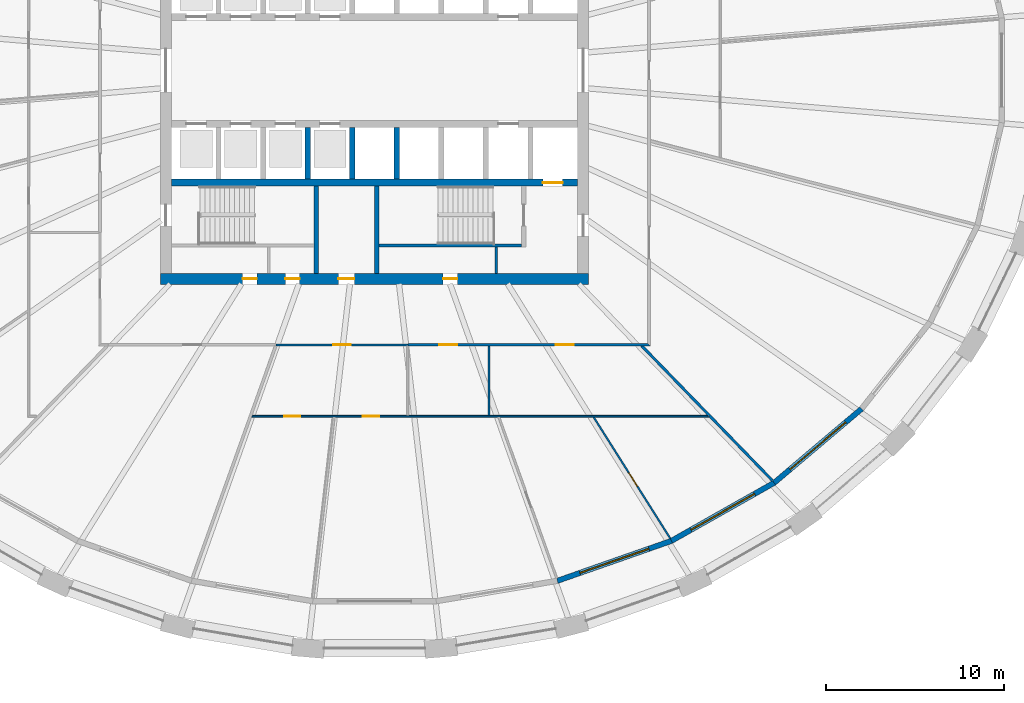
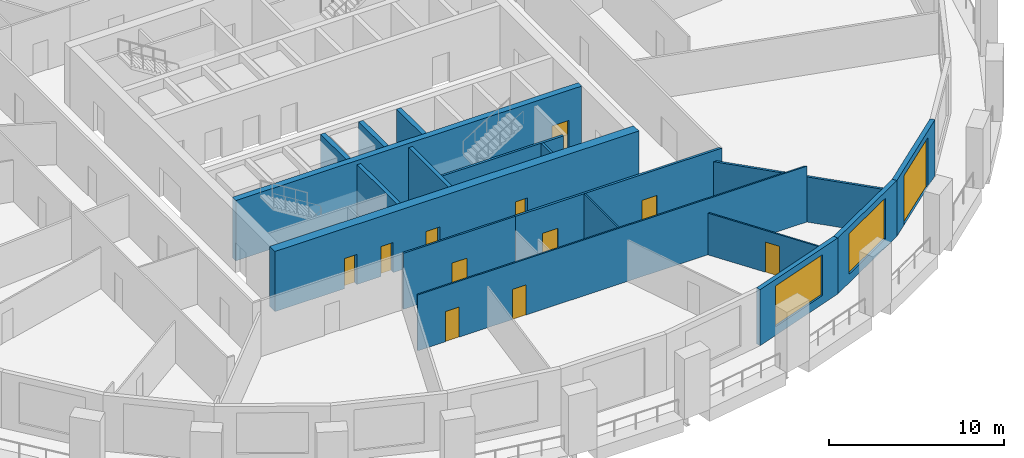
# One storey, part 4 of 12: 18 walls, 12 doors, 2 windows, 14 openings.
"""IFC4 building model written with IfcOpenShell, lengths in metres."""

from ifc_helpers import new_model, si_unit, direction, frame, frame_2d, origin, place, context, subcontext, project, spatial, polyline, rectangle, outline, extrude, material, layer, layer_set, type_object, element, fill, save


model = new_model("IFC4")

# Units and contexts
model_context = context("Model", 3, precision=1e-05, world=origin(), true_north=direction((0.0, 1.0)))
body_context = subcontext(model_context, "Body", "Model", "MODEL_VIEW")
ifc_project = project(units=[si_unit("LENGTHUNIT", "METRE"), si_unit("AREAUNIT", "SQUARE_METRE"), si_unit("VOLUMEUNIT", "CUBIC_METRE"), si_unit("PLANEANGLEUNIT", "RADIAN"), si_unit("MASSUNIT", "GRAM", prefix="KILO")], contexts=[model_context])

# Site, building, storey
site_placement = place(None, origin())
site = spatial("IfcSite", under=ifc_project, at=site_placement, CompositionType="ELEMENT")
building_placement = place(site_placement, origin())
building = spatial("IfcBuilding", under=site, at=building_placement, Name="Halqa Exchange Tower", CompositionType="ELEMENT")
storey_placement = place(building_placement, frame((0.0, 0.0, 27.699951171875)))
storey = spatial("IfcBuildingStorey", under=building, at=storey_placement, Name="L05", CompositionType="ELEMENT", Elevation=27.699951171875)

# Wall, openings, doors
ifc_material_1 = material(Name="Fire-rated gypsum board")
ifc_layer_1 = layer(ifc_material_1, 0.14990234375)
ifc_layer_set_1 = layer_set([ifc_layer_1], Name="Fire-rated gypsum board")
wall_type_1 = type_object("IfcWallType", Name="Fire partition EI 60 150", PredefinedType="PARTITIONING", material=ifc_layer_set_1)
wall_1_placement = place(storey_placement, frame((1.8701171875, -15.39990234375, 0.0), z_axis=(0.0, 0.0, 1.0), x_axis=(1.0, 0.0, 0.0)))
wall_1 = element("IfcWall", 1, at=wall_1_placement, inside=storey, type_object=wall_type_1, Name="L05-PWL-030", PredefinedType="PARTITIONING", context=body_context, shape_type="SweptSolid", body=[
    extrude(outline(polyline([(0.0, -0.074951171875), (1.943603515625, -0.074951171875), (3.886962890625, -0.074951171875), (5.83056640625, -0.074951171875), (7.774169921875, -0.074951171875), (9.7177734375, -0.074951171875), (11.6611328125, -0.074951171875), (13.604736328125, -0.074951171875), (13.454833984375, 0.074951171875), (11.53271484375, 0.074951171875), (9.610595703125, 0.074951171875), (7.6884765625, 0.074951171875), (5.766357421875, 0.074951171875), (3.84423828125, 0.074951171875), (1.922119140625, 0.074951171875), (0.0, 0.074951171875), (0.0, -0.074951171875)])), origin(), (0.0, 0.0, 1.0), 3.900146484375),
])
opening_1_placement = place(wall_1_placement, frame((1.77490234375, 0.0, 0.0)))
opening_1 = element("IfcOpeningElement", 2, at=opening_1_placement, cuts=wall_1, Name="Opening 01-15", PredefinedType="OPENING", context=body_context, shape_type="SweptSolid", body=[
    extrude(rectangle(XDim=1.0, YDim=2.10009765625, at=frame_2d((0.5, 1.050048828125))), frame((0.0, 0.0869140625, 0.0), z_axis=(0.0, -1.0, 0.0), x_axis=(1.0, 0.0, 0.0)), (0.0, 0.0, 1.0), 0.173828125),
])
opening_2_placement = place(wall_1_placement, frame((8.31005859375, 0.0, 0.0)))
opening_2 = element("IfcOpeningElement", 3, at=opening_2_placement, cuts=wall_1, Name="Opening 01-16", PredefinedType="OPENING", context=body_context, shape_type="SweptSolid", body=[
    extrude(rectangle(XDim=1.0, YDim=2.10009765625, at=frame_2d((0.5, 1.050048828125))), frame((0.0, 0.0869140625, 0.0), z_axis=(0.0, -1.0, 0.0), x_axis=(1.0, 0.0, 0.0)), (0.0, 0.0, 1.0), 0.173828125),
])
ifc_material_2 = material(Name="Steel fire door leaf", Category="steel")
door_type_1 = type_object("IfcDoorType", Name="Fire door FD30S 1000 x 2100", OperationType="SINGLE_SWING_LEFT", PredefinedType="DOOR", material=ifc_material_2)
door_1_placement = place(opening_1_placement, frame((1.0, 0.0, 0.0), z_axis=(0.0, 0.0, 1.0), x_axis=(-1.0, 0.0, 0.0)))
door_1 = element("IfcDoor", 4, at=door_1_placement, inside=storey, type_object=door_type_1, Name="L05-IDR-015", OperationType="SINGLE_SWING_RIGHT", OverallHeight=2.10009765625, OverallWidth=1.0, PredefinedType="DOOR", context=body_context, shape_type="SweptSolid", body=[
    extrude(rectangle(XDim=1.0, YDim=2.10009765625, at=frame_2d((0.5, 1.050048828125))), frame((0.0, 0.02490234375, 0.0), z_axis=(0.0, -1.0, 0.0), x_axis=(1.0, 0.0, 0.0)), (0.0, 0.0, 1.0), 0.050048828125),
])
fill(opening_1, door_1)
door_2_placement = place(opening_2_placement, frame((1.0, 0.0, 0.0), z_axis=(0.0, 0.0, 1.0), x_axis=(-1.0, 0.0, 0.0)))
door_2 = element("IfcDoor", 5, at=door_2_placement, inside=storey, type_object=door_type_1, Name="L05-IDR-016", OperationType="SINGLE_SWING_RIGHT", OverallHeight=2.10009765625, OverallWidth=1.0, PredefinedType="DOOR", context=body_context, shape_type="SweptSolid", body=[
    extrude(rectangle(XDim=1.0, YDim=2.10009765625, at=frame_2d((0.5, 1.050048828125))), frame((0.0, 0.02490234375, 0.0), z_axis=(0.0, -1.0, 0.0), x_axis=(1.0, 0.0, 0.0)), (0.0, 0.0, 1.0), 0.050048828125),
])
fill(opening_2, door_2)

# Wall
wall_2_placement = place(storey_placement, frame((14.96240234375, -15.423095703125, 0.0), z_axis=(0.0, 0.0, 1.0), x_axis=(0.69624947088, -0.717799884578, 0.0)))
element("IfcWall", 6, at=wall_2_placement, inside=storey, type_object=wall_type_1, Name="L05-PWL-038", PredefinedType="PARTITIONING", context=body_context, shape_type="SweptSolid", body=[
    extrude(outline(polyline([(0.0, -0.074951171875), (1.79931640625, -0.074951171875), (3.5986328125, -0.074951171875), (5.39794921875, -0.074951171875), (5.46533203125, -0.005615234375), (5.53662109375, -0.074951171875), (7.21044921875, -0.074951171875), (8.884033203125, -0.074951171875), (10.557861328125, -0.074951171875), (10.558349609375, -0.0732421875), (10.558349609375, 0.074951171875), (8.82275390625, 0.074951171875), (7.087158203125, 0.074951171875), (5.3515625, 0.074951171875), (3.6162109375, 0.074951171875), (1.880615234375, 0.074951171875), (0.14501953125, 0.074951171875), (0.0, -0.074462890625), (0.0, -0.074951171875)])), origin(), (0.0, 0.0, 1.0), 3.14697265625),
])

# Wall, opening, door
ifc_material_3 = material(Name="Fire-rated glazing", Category="glass")
ifc_layer_2 = layer(ifc_material_3, 0.1201171875)
ifc_layer_set_2 = layer_set([ifc_layer_2], Name="Fire-rated glazing")
wall_type_2 = type_object("IfcWallType", Name="Glazed fire partition EI 60 120", PredefinedType="PARTITIONING", material=ifc_layer_set_2)
wall_3_placement = place(storey_placement, frame((1.8701171875, -15.39990234375, 0.0), z_axis=(0.0, 0.0, 1.0), x_axis=(-1.0, 0.0, 0.0)))
wall_3 = element("IfcWall", 7, at=wall_3_placement, inside=storey, type_object=wall_type_2, Name="L05-PWL-028", PredefinedType="PARTITIONING", context=body_context, shape_type="SweptSolid", body=[
    extrude(rectangle(XDim=7.39013671875, YDim=0.1201171875, at=frame_2d((3.695068359375, 0.0))), origin(), (0.0, 0.0, 1.0), 3.900146484375),
])
opening_3_placement = place(wall_3_placement, frame((3.195068359375, 0.0, 0.0)))
opening_3 = element("IfcOpeningElement", 8, at=opening_3_placement, cuts=wall_3, Name="Opening 01-14", PredefinedType="OPENING", context=body_context, shape_type="SweptSolid", body=[
    extrude(rectangle(XDim=1.0, YDim=2.10009765625, at=frame_2d((0.5, 1.050048828125))), frame((0.0, 0.072021484375, 0.0), z_axis=(0.0, -1.0, 0.0), x_axis=(1.0, 0.0, 0.0)), (0.0, 0.0, 1.0), 0.14404296875),
])
door_3_placement = place(opening_3_placement, origin())
door_3 = element("IfcDoor", 9, at=door_3_placement, inside=storey, type_object=door_type_1, Name="L05-IDR-014", OperationType="SINGLE_SWING_LEFT", OverallHeight=2.10009765625, OverallWidth=1.0, PredefinedType="DOOR", context=body_context, shape_type="SweptSolid", body=[
    extrude(rectangle(XDim=1.0, YDim=2.10009765625, at=frame_2d((0.5, 1.050048828125))), frame((0.0, 0.02490234375, 0.0), z_axis=(0.0, -1.0, 0.0), x_axis=(1.0, 0.0, 0.0)), (0.0, 0.0, 1.0), 0.050048828125),
])
fill(opening_3, door_3)

# Wall, openings, doors
ifc_material_4 = material(Name="Gypsum board")
ifc_layer_3 = layer(ifc_material_4, 0.10009765625)
ifc_layer_set_3 = layer_set([ifc_layer_3], Name="Gypsum board")
wall_type_3 = type_object("IfcWallType", Name="Partition 100 gypsum", PredefinedType="PARTITIONING", material=ifc_layer_set_3)
wall_4_placement = place(storey_placement, frame((-6.89404296875, -19.39990234375, 0.0), z_axis=(0.0, 0.0, 1.0), x_axis=(1.0, 0.0, 0.0)))
wall_4 = element("IfcWall", 10, at=wall_4_placement, inside=storey, type_object=wall_type_3, Name="L05-PWL-024", PredefinedType="PARTITIONING", context=body_context, shape_type="SweptSolid", body=[
    extrude(outline(polyline([(0.0, -0.050048828125), (1.52587890625, -0.050048828125), (3.052001953125, -0.050048828125), (4.577880859375, -0.050048828125), (4.578125, -0.049072265625), (4.587158203125, -0.050048828125), (6.4541015625, -0.050048828125), (8.321044921875, -0.050048828125), (10.18798828125, -0.050048828125), (12.05517578125, -0.050048828125), (13.922119140625, -0.050048828125), (13.9248046875, -0.049072265625), (13.925048828125, -0.050048828125), (15.6962890625, -0.050048828125), (17.467529296875, -0.050048828125), (19.23876953125, -0.050048828125), (19.2431640625, -0.04736328125), (19.24462890625, -0.050048828125), (20.847900390625, -0.050048828125), (22.451171875, -0.050048828125), (24.05419921875, -0.050048828125), (25.657470703125, -0.050048828125), (25.657470703125, -0.049560546875), (25.614013671875, -0.004638671875), (25.614013671875, -0.004638671875), (25.56103515625, 0.050048828125), (23.818603515625, 0.050048828125), (22.076171875, 0.050048828125), (20.333740234375, 0.050048828125), (18.59130859375, 0.050048828125), (16.848876953125, 0.050048828125), (15.1064453125, 0.050048828125), (13.364013671875, 0.050048828125), (13.364013671875, 0.0498046875), (13.26416015625, 0.0498046875), (13.26416015625, 0.050048828125), (11.78076171875, 0.050048828125), (10.29736328125, 0.050048828125), (8.81396484375, 0.050048828125), (8.81396484375, 0.0498046875), (8.714111328125, 0.0498046875), (8.714111328125, 0.050048828125), (6.978271484375, 0.050048828125), (5.24267578125, 0.050048828125), (3.507080078125, 0.050048828125), (1.771240234375, 0.050048828125), (0.03564453125, 0.050048828125), (0.0, -0.04931640625), (0.0, -0.050048828125)])), origin(), (0.0, 0.0, 1.0), 3.900146484375),
])
opening_4_placement = place(wall_4_placement, frame((6.2490234375, 0.0, 0.0)))
opening_4 = element("IfcOpeningElement", 11, at=opening_4_placement, cuts=wall_4, Name="Opening 01-28", PredefinedType="OPENING", context=body_context, shape_type="SweptSolid", body=[
    extrude(rectangle(XDim=0.89990234375, YDim=2.10009765625, at=frame_2d((0.449951171875, 1.050048828125))), frame((0.0, 0.06201171875, 0.0), z_axis=(0.0, -1.0, 0.0), x_axis=(1.0, 0.0, 0.0)), (0.0, 0.0, 1.0), 0.1240234375),
])
opening_5_placement = place(wall_4_placement, frame((1.833984375, 0.0, 0.0)))
opening_5 = element("IfcOpeningElement", 12, at=opening_5_placement, cuts=wall_4, Name="Opening 01-29", PredefinedType="OPENING", context=body_context, shape_type="SweptSolid", body=[
    extrude(rectangle(XDim=0.89990234375, YDim=2.10009765625, at=frame_2d((0.449951171875, 1.050048828125))), frame((0.0, 0.06201171875, 0.0), z_axis=(0.0, -1.0, 0.0), x_axis=(1.0, 0.0, 0.0)), (0.0, 0.0, 1.0), 0.1240234375),
])
ifc_material_5 = material(Name="Timber door leaf", Category="wood")
door_type_2 = type_object("IfcDoorType", Name="Door 900 x 2100", OperationType="SINGLE_SWING_LEFT", PredefinedType="DOOR", material=ifc_material_5)
door_4_placement = place(opening_4_placement, origin())
door_4 = element("IfcDoor", 13, at=door_4_placement, inside=storey, type_object=door_type_2, Name="L05-IDR-028", OperationType="SINGLE_SWING_LEFT", OverallHeight=2.10009765625, OverallWidth=0.89990234375, PredefinedType="DOOR", context=body_context, shape_type="SweptSolid", body=[
    extrude(rectangle(XDim=0.89990234375, YDim=2.10009765625, at=frame_2d((0.449951171875, 1.050048828125))), frame((0.0, 0.02490234375, 0.0), z_axis=(0.0, -1.0, 0.0), x_axis=(1.0, 0.0, 0.0)), (0.0, 0.0, 1.0), 0.050048828125),
])
fill(opening_4, door_4)
door_5_placement = place(opening_5_placement, origin())
door_5 = element("IfcDoor", 14, at=door_5_placement, inside=storey, type_object=door_type_2, Name="L05-IDR-029", OperationType="SINGLE_SWING_RIGHT", OverallHeight=2.10009765625, OverallWidth=0.89990234375, PredefinedType="DOOR", context=body_context, shape_type="SweptSolid", body=[
    extrude(rectangle(XDim=0.89990234375, YDim=2.10009765625, at=frame_2d((0.449951171875, 1.050048828125))), frame((0.0, 0.02490234375, 0.0), z_axis=(0.0, -1.0, 0.0), x_axis=(1.0, 0.0, 0.0)), (0.0, 0.0, 1.0), 0.050048828125),
])
fill(opening_5, door_5)

# Wall
wall_5_placement = place(storey_placement, frame((6.419921875, -15.47509765625, 0.0), z_axis=(0.0, 0.0, 1.0), x_axis=(0.0, -1.0, 0.0)))
element("IfcWall", 15, at=wall_5_placement, inside=storey, type_object=wall_type_3, Name="L05-PWL-032", PredefinedType="PARTITIONING", context=body_context, shape_type="SweptSolid", body=[
    extrude(rectangle(XDim=3.875, YDim=0.10009765625, at=frame_2d((1.9375, 0.0))), origin(), (0.0, 0.0, 1.0), 3.900146484375),
])

# Wall, opening, door
wall_6_placement = place(storey_placement, frame((12.27490234375, -19.423583984375, 0.0), z_axis=(0.0, 0.0, 1.0), x_axis=(0.533945273126, -0.845519038997, 0.0)))
wall_6 = element("IfcWall", 16, at=wall_6_placement, inside=storey, type_object=wall_type_3, Name="L05-PWL-035", PredefinedType="PARTITIONING", context=body_context, shape_type="SweptSolid", body=[
    extrude(outline(polyline([(0.0, -0.050048828125), (1.614013671875, -0.050048828125), (3.228271484375, -0.050048828125), (4.84228515625, -0.050048828125), (6.456298828125, -0.050048828125), (8.070556640625, -0.050048828125), (8.082763671875, 0.003173828125), (8.0849609375, 0.0498046875), (8.0849609375, 0.050048828125), (6.48046875, 0.050048828125), (4.876220703125, 0.050048828125), (3.271728515625, 0.050048828125), (1.667236328125, 0.050048828125), (0.062744140625, 0.050048828125), (0.0, -0.049560546875), (0.0, -0.050048828125)])), origin(), (0.0, 0.0, 1.0), 2.91015625),
])
opening_6_placement = place(wall_6_placement, frame((3.7265625, 0.0, 0.0)))
opening_6 = element("IfcOpeningElement", 17, at=opening_6_placement, cuts=wall_6, Name="Opening 01-31", PredefinedType="OPENING", context=body_context, shape_type="SweptSolid", body=[
    extrude(rectangle(XDim=0.89990234375, YDim=2.10009765625, at=frame_2d((0.449951171875, 1.050048828125))), frame((0.0, 0.06201171875, 0.0), z_axis=(0.0, -1.0, 0.0), x_axis=(1.0, 0.0, 0.0)), (0.0, 0.0, 1.0), 0.1240234375),
])
door_6_placement = place(opening_6_placement, origin())
door_6 = element("IfcDoor", 18, at=door_6_placement, inside=storey, type_object=door_type_2, Name="L05-IDR-031", OperationType="SINGLE_SWING_RIGHT", OverallHeight=2.10009765625, OverallWidth=0.89990234375, PredefinedType="DOOR", context=body_context, shape_type="SweptSolid", body=[
    extrude(rectangle(XDim=0.89990234375, YDim=2.10009765625, at=frame_2d((0.449951171875, 1.050048828125))), frame((0.0, 0.02490234375, 0.0), z_axis=(0.0, -1.0, 0.0), x_axis=(1.0, 0.0, 0.0)), (0.0, 0.0, 1.0), 0.050048828125),
])
fill(opening_6, door_6)

# Walls
ifc_layer_4 = layer(ifc_material_4, 0.14990234375)
ifc_layer_set_4 = layer_set([ifc_layer_4], Name="Gypsum board")
wall_type_4 = type_object("IfcWallType", Name="Penthouse riser wall 150 gypsum", PredefinedType="PARTITIONING", material=ifc_layer_set_4)
wall_7_placement = place(storey_placement, frame((6.824951171875, -11.39990234375, 0.0), z_axis=(0.0, 0.0, 1.0), x_axis=(0.0, 1.0, 0.0)))
element("IfcWall", 19, at=wall_7_placement, inside=storey, type_object=wall_type_4, Name="Firefighting lobby west wall S", PredefinedType="PARTITIONING", context=body_context, shape_type="SweptSolid", body=[
    extrude(rectangle(XDim=1.5, YDim=0.14990234375, at=frame_2d((0.75, 0.0))), origin(), (0.0, 0.0, 1.0), 3.900146484375),
])
ifc_material_6 = material(Name="Concrete C60/75", Category="concrete")
ifc_layer_5 = layer(ifc_material_6, 0.300048828125)
ifc_layer_set_5 = layer_set([ifc_layer_5], Name="Concrete C60/75")
wall_type_5 = type_object("IfcWallType", Name="RC core wall 300", PredefinedType="SHEAR", material=ifc_layer_set_5)
for number, where, z_axis, x_axis, name in (
    (20, (-3.75, -6.10009765625, 0.0), (0.0, 0.0, 1.0), (0.0, 1.0, 0.0), "Shaft divider S3"),
    (21, (-1.25, -6.10009765625, 0.0), (0.0, 0.0, 1.0), (0.0, 1.0, 0.0), "Shaft divider S4"),
    (22, (1.25, -6.10009765625, 0.0), (0.0, 0.0, 1.0), (0.0, 1.0, 0.0), "Shaft divider S5"),
):
    element("IfcWall", number, at=place(storey_placement, frame(where, z_axis=z_axis, x_axis=x_axis)), inside=storey, type_object=wall_type_5, Name=name, PredefinedType="SHEAR", context=body_context, shape_type="SweptSolid", body=[
        extrude(rectangle(XDim=2.900146484375, YDim=0.300048828125, at=frame_2d((1.4501953125, 0.0))), origin(), (0.0, 0.0, 1.0), 4.199951171875),
    ])

# Wall, opening, door
ifc_material_7 = material(Name="Concrete C80/95", Category="concrete")
ifc_layer_6 = layer(ifc_material_7, 0.39990234375)
ifc_layer_set_6 = layer_set([ifc_layer_6], Name="Concrete C80/95")
wall_type_6 = type_object("IfcWallType", Name="RC core wall 400 C80/95", PredefinedType="SHEAR", material=ifc_layer_set_6)
wall_8_placement = place(storey_placement, frame((-11.39990234375, -6.300048828125, 0.0), z_axis=(0.0, 0.0, 1.0), x_axis=(1.0, 0.0, 0.0)))
wall_8 = element("IfcWall", 23, at=wall_8_placement, inside=storey, type_object=wall_type_6, Name="Lift row back wall S", PredefinedType="SHEAR", context=body_context, shape_type="SweptSolid", body=[
    extrude(rectangle(XDim=22.7998046875, YDim=0.39990234375, at=frame_2d((11.39990234375, 0.0))), origin(), (0.0, 0.0, 1.0), 4.199951171875),
])
opening_7_placement = place(wall_8_placement, frame((20.85009765625, 0.0, 0.0)))
opening_7 = element("IfcOpeningElement", 24, at=opening_7_placement, cuts=wall_8, Name="Opening LD-FF2-T01", PredefinedType="OPENING", context=body_context, shape_type="SweptSolid", body=[
    extrude(rectangle(XDim=1.10009765625, YDim=2.10009765625, at=frame_2d((0.550048828125, 1.050048828125))), frame((0.0, 0.2119140625, 0.0), z_axis=(0.0, -1.0, 0.0), x_axis=(1.0, 0.0, 0.0)), (0.0, 0.0, 1.0), 0.423828125),
])
ifc_material_8 = material(Name="Stainless steel", Category="steel")
door_type_3 = type_object("IfcDoorType", Name="Lift landing door 1100 x 2100", OperationType="SLIDING_TO_LEFT", PredefinedType="DOOR", material=ifc_material_8)
door_7_placement = place(opening_7_placement, origin())
door_7 = element("IfcDoor", 25, at=door_7_placement, inside=storey, type_object=door_type_3, Name="Lift landing door FF2", OperationType="SLIDING_TO_LEFT", OverallHeight=2.10009765625, OverallWidth=1.10009765625, PredefinedType="DOOR", context=body_context, shape_type="SweptSolid", body=[
    extrude(rectangle(XDim=1.10009765625, YDim=2.10009765625, at=frame_2d((0.550048828125, 1.050048828125))), frame((0.0, 0.02490234375, 0.0), z_axis=(0.0, -1.0, 0.0), x_axis=(1.0, 0.0, 0.0)), (0.0, 0.0, 1.0), 0.050048828125),
])
fill(opening_7, door_7)

# Wall, openings, doors
ifc_layer_7 = layer(ifc_material_7, 0.60009765625)
ifc_layer_set_7 = layer_set([ifc_layer_7], Name="Concrete C80/95")
wall_type_7 = type_object("IfcWallType", Name="RC core wall 600 C80/95", PredefinedType="SHEAR", material=ifc_layer_set_7)
wall_9_placement = place(storey_placement, frame((-12.0, -11.699951171875, 0.0), z_axis=(0.0, 0.0, 1.0), x_axis=(1.0, 0.0, 0.0)))
wall_9 = element("IfcWall", 26, at=wall_9_placement, inside=storey, type_object=wall_type_7, Name="Core wall south", PredefinedType="SHEAR", context=body_context, shape_type="SweptSolid", body=[
    extrude(rectangle(XDim=24.0, YDim=0.60009765625, at=frame_2d((12.0, 0.0))), origin(), (0.0, 0.0, 1.0), 4.199951171875),
])
opening_8_placement = place(wall_9_placement, frame((9.97509765625, 0.0, 0.0)))
opening_8 = element("IfcOpeningElement", 27, at=opening_8_placement, cuts=wall_9, Name="Opening T01-C25", PredefinedType="OPENING", context=body_context, shape_type="SweptSolid", body=[
    extrude(rectangle(XDim=0.89990234375, YDim=2.10009765625, at=frame_2d((0.449951171875, 1.050048828125))), frame((0.0, 0.31201171875, 0.0), z_axis=(0.0, -1.0, 0.0), x_axis=(1.0, 0.0, 0.0)), (0.0, 0.0, 1.0), 0.6240234375),
])
opening_9_placement = place(wall_9_placement, frame((4.60009765625, 0.0, 0.0)))
opening_9 = element("IfcOpeningElement", 28, at=opening_9_placement, cuts=wall_9, Name="Opening T01-C26", PredefinedType="OPENING", context=body_context, shape_type="SweptSolid", body=[
    extrude(rectangle(XDim=0.800048828125, YDim=2.10009765625, at=frame_2d((0.39990234375, 1.050048828125))), frame((0.0, 0.31201171875, 0.0), z_axis=(0.0, -1.0, 0.0), x_axis=(1.0, 0.0, 0.0)), (0.0, 0.0, 1.0), 0.6240234375),
])
opening_10_placement = place(wall_9_placement, frame((7.0, 0.0, 0.0)))
opening_10 = element("IfcOpeningElement", 29, at=opening_10_placement, cuts=wall_9, Name="Opening T01-C27", PredefinedType="OPENING", context=body_context, shape_type="SweptSolid", body=[
    extrude(rectangle(XDim=0.800048828125, YDim=2.10009765625, at=frame_2d((0.39990234375, 1.050048828125))), frame((0.0, 0.31201171875, 0.0), z_axis=(0.0, -1.0, 0.0), x_axis=(1.0, 0.0, 0.0)), (0.0, 0.0, 1.0), 0.6240234375),
])
opening_11_placement = place(wall_9_placement, frame((15.85009765625, 0.0, 0.0)))
opening_11 = element("IfcOpeningElement", 30, at=opening_11_placement, cuts=wall_9, Name="Opening T01-C28", PredefinedType="OPENING", context=body_context, shape_type="SweptSolid", body=[
    extrude(rectangle(XDim=0.800048828125, YDim=2.10009765625, at=frame_2d((0.39990234375, 1.050048828125))), frame((0.0, 0.31201171875, 0.0), z_axis=(0.0, -1.0, 0.0), x_axis=(1.0, 0.0, 0.0)), (0.0, 0.0, 1.0), 0.6240234375),
])
ifc_material_9 = material(Name="Timber fire door leaf", Category="wood")
door_type_4 = type_object("IfcDoorType", Name="Core room door FD30 900 x 2100", OperationType="SINGLE_SWING_LEFT", PredefinedType="DOOR", material=ifc_material_9)
door_8_placement = place(opening_8_placement, origin())
door_8 = element("IfcDoor", 31, at=door_8_placement, inside=storey, type_object=door_type_4, Name="Core room door", OperationType="SINGLE_SWING_LEFT", OverallHeight=2.10009765625, OverallWidth=0.89990234375, PredefinedType="DOOR", context=body_context, shape_type="SweptSolid", body=[
    extrude(rectangle(XDim=0.89990234375, YDim=2.10009765625, at=frame_2d((0.449951171875, 1.050048828125))), frame((0.0, 0.02490234375, 0.0), z_axis=(0.0, -1.0, 0.0), x_axis=(1.0, 0.0, 0.0)), (0.0, 0.0, 1.0), 0.050048828125),
])
fill(opening_8, door_8)
door_type_5 = type_object("IfcDoorType", Name="Riser door FD60 800 x 2100", OperationType="SINGLE_SWING_LEFT", PredefinedType="DOOR", material=ifc_material_2)
door_9_placement = place(opening_9_placement, origin())
door_9 = element("IfcDoor", 32, at=door_9_placement, inside=storey, type_object=door_type_5, Name="Core room door", OperationType="SINGLE_SWING_LEFT", OverallHeight=2.10009765625, OverallWidth=0.800048828125, PredefinedType="DOOR", context=body_context, shape_type="SweptSolid", body=[
    extrude(rectangle(XDim=0.800048828125, YDim=2.10009765625, at=frame_2d((0.39990234375, 1.050048828125))), frame((0.0, 0.02490234375, 0.0), z_axis=(0.0, -1.0, 0.0), x_axis=(1.0, 0.0, 0.0)), (0.0, 0.0, 1.0), 0.050048828125),
])
fill(opening_9, door_9)
door_10_placement = place(opening_10_placement, origin())
door_10 = element("IfcDoor", 33, at=door_10_placement, inside=storey, type_object=door_type_5, Name="Core room door", OperationType="SINGLE_SWING_LEFT", OverallHeight=2.10009765625, OverallWidth=0.800048828125, PredefinedType="DOOR", context=body_context, shape_type="SweptSolid", body=[
    extrude(rectangle(XDim=0.800048828125, YDim=2.10009765625, at=frame_2d((0.39990234375, 1.050048828125))), frame((0.0, 0.02490234375, 0.0), z_axis=(0.0, -1.0, 0.0), x_axis=(1.0, 0.0, 0.0)), (0.0, 0.0, 1.0), 0.050048828125),
])
fill(opening_10, door_10)
door_11_placement = place(opening_11_placement, origin())
door_11 = element("IfcDoor", 34, at=door_11_placement, inside=storey, type_object=door_type_5, Name="Core room door", OperationType="SINGLE_SWING_LEFT", OverallHeight=2.10009765625, OverallWidth=0.800048828125, PredefinedType="DOOR", context=body_context, shape_type="SweptSolid", body=[
    extrude(rectangle(XDim=0.800048828125, YDim=2.10009765625, at=frame_2d((0.39990234375, 1.050048828125))), frame((0.0, 0.02490234375, 0.0), z_axis=(0.0, -1.0, 0.0), x_axis=(1.0, 0.0, 0.0)), (0.0, 0.0, 1.0), 0.050048828125),
])
fill(opening_11, door_11)

# Walls
ifc_material_10 = material(Name="Concrete C30/37", Category="concrete")
ifc_layer_8 = layer(ifc_material_10, 0.14990234375)
ifc_layer_set_8 = layer_set([ifc_layer_8], Name="Concrete C30/37")
wall_type_8 = type_object("IfcWallType", Name="RC stair wall 150 C30/37", PredefinedType="SHEAR", material=ifc_layer_set_8)
wall_10_placement = place(storey_placement, frame((0.25, -9.824951171875, 0.0), z_axis=(0.0, 0.0, 1.0), x_axis=(1.0, 0.0, 0.0)))
element("IfcWall", 35, at=wall_10_placement, inside=storey, type_object=wall_type_8, Name="Stair ST2 north wall S", PredefinedType="SHEAR", context=body_context, shape_type="SweptSolid", body=[
    extrude(rectangle(XDim=8.0, YDim=0.14990234375, at=frame_2d((4.0, 0.0))), origin(), (0.0, 0.0, 1.0), 3.900146484375),
])
ifc_layer_9 = layer(ifc_material_10, 0.25)
ifc_layer_set_9 = layer_set([ifc_layer_9], Name="Concrete C30/37")
wall_type_9 = type_object("IfcWallType", Name="RC stair wall 250 C30/37", PredefinedType="SHEAR", material=ifc_layer_set_9)
for number, where, z_axis, x_axis, name in (
    (36, (-3.27490234375, -11.39990234375, 0.0), (0.0, 0.0, 1.0), (0.0, 1.0, 0.0), "Stair ST1 east wall S"),
    (37, (0.125, -11.39990234375, 0.0), (0.0, 0.0, 1.0), (0.0, 1.0, 0.0), "Stair ST2 west wall S"),
):
    element("IfcWall", number, at=place(storey_placement, frame(where, z_axis=z_axis, x_axis=x_axis)), inside=storey, type_object=wall_type_9, Name=name, PredefinedType="SHEAR", context=body_context, shape_type="SweptSolid", body=[
        extrude(rectangle(XDim=4.89990234375, YDim=0.25, at=frame_2d((2.449951171875, 0.0))), origin(), (0.0, 0.0, 1.0), 3.900146484375),
    ])

# Wall, opening, window
ifc_material_11 = material(Name="Limestone cladding", Category="masonry")
ifc_layer_10 = layer(ifc_material_11, 0.0400390625)
ifc_material_12 = material(Name="Ventilated cavity")
ifc_layer_11 = layer(ifc_material_12, 0.030029296875, ventilated=True)
ifc_material_13 = material(Name="Mineral wool insulation")
ifc_layer_12 = layer(ifc_material_13, 0.10009765625)
ifc_layer_13 = layer(ifc_material_10, 0.10009765625)
ifc_material_14 = material(Name="Internal plaster")
ifc_layer_14 = layer(ifc_material_14, 0.030029296875)
ifc_layer_set_10 = layer_set([ifc_layer_10, ifc_layer_11, ifc_layer_12, ifc_layer_13, ifc_layer_14], Name="Stone-faced insulated wall 300")
wall_type_10 = type_object("IfcWallType", Name="Stone-faced insulated wall 300", PredefinedType="STANDARD", material=ifc_layer_set_10)
wall_11_placement = place(storey_placement, frame((10.255615234375, -28.63525390625, 0.0), z_axis=(0.0, 0.0, 1.0), x_axis=(0.943767392455, 0.330610206947, 0.0)))
wall_11 = element("IfcWall", 38, at=wall_11_placement, inside=storey, type_object=wall_type_10, Name="Glass-line wall 26", PredefinedType="STANDARD", context=body_context, shape_type="SweptSolid", body=[
    extrude(outline(polyline([(-0.0126953125, -0.14990234375), (6.794677734375, -0.14990234375), (6.767822265625, 0.14990234375), (0.0126953125, 0.14990234375), (-0.0126953125, -0.14990234375)])), origin(), (0.0, 0.0, 1.0), 3.900146484375),
])
opening_12_placement = place(wall_11_placement, frame((1.340576171875, 0.0, 0.60009765625)))
opening_12 = element("IfcOpeningElement", 39, at=opening_12_placement, cuts=wall_11, Name="Opening W-F1-26", PredefinedType="OPENING", context=body_context, shape_type="SweptSolid", body=[
    extrude(rectangle(XDim=4.10009765625, YDim=2.85009765625, at=frame_2d((2.050048828125, 1.425048828125))), frame((0.0, 0.162109375, 0.0), z_axis=(0.0, -1.0, 0.0), x_axis=(1.0, 0.0, 0.0)), (0.0, 0.0, 1.0), 0.323974609375),
])
ifc_material_15 = material(Name="Clear low-emissivity glass in aluminium frame", Category="aluminium")
window_type = type_object("IfcWindowType", Name="Fixed clear glazed window 4100 x 2850", PartitioningType="TRIPLE_PANEL_VERTICAL", PredefinedType="WINDOW", material=ifc_material_15)
window_1_placement = place(opening_12_placement, origin())
window_1 = element("IfcWindow", 40, at=window_1_placement, inside=storey, type_object=window_type, Name="Window 1", OverallHeight=2.85009765625, OverallWidth=4.10009765625, PartitioningType="TRIPLE_PANEL_VERTICAL", PredefinedType="WINDOW", context=body_context, shape_type="SweptSolid", body=[
    extrude(rectangle(XDim=4.10009765625, YDim=2.85009765625, at=frame_2d((2.050048828125, 1.425048828125))), frame((0.0, 0.030029296875, 0.0), z_axis=(0.0, -1.0, 0.0), x_axis=(1.0, 0.0, 0.0)), (0.0, 0.0, 1.0), 0.06005859375),
])
fill(opening_12, window_1)

wall_12_placement = place(storey_placement, frame((16.655517578125, -26.393310546875, 0.0), z_axis=(0.0, 0.0, 1.0), x_axis=(0.8705786416, 0.492029296678, 0.0)))
wall_12 = element("IfcWall", 41, at=wall_12_placement, inside=storey, type_object=wall_type_10, Name="Glass-line wall 27", PredefinedType="STANDARD", context=body_context, shape_type="SweptSolid", body=[
    extrude(outline(polyline([(-0.013427734375, -0.14990234375), (6.6318359375, -0.14990234375), (6.603515625, 0.14990234375), (0.013427734375, 0.14990234375), (-0.013427734375, -0.14990234375)])), origin(), (0.0, 0.0, 1.0), 3.900146484375),
])
opening_13_placement = place(wall_12_placement, frame((1.2587890625, 0.0, 0.60009765625)))
opening_13 = element("IfcOpeningElement", 42, at=opening_13_placement, cuts=wall_12, Name="Opening W-F1-27", PredefinedType="OPENING", context=body_context, shape_type="SweptSolid", body=[
    extrude(rectangle(XDim=4.10009765625, YDim=2.85009765625, at=frame_2d((2.050048828125, 1.425048828125))), frame((0.0, 0.162109375, 0.0), z_axis=(0.0, -1.0, 0.0), x_axis=(1.0, 0.0, 0.0)), (0.0, 0.0, 1.0), 0.323974609375),
])
window_2_placement = place(opening_13_placement, origin())
window_2 = element("IfcWindow", 43, at=window_2_placement, inside=storey, type_object=window_type, Name="Window 1", OverallHeight=2.85009765625, OverallWidth=4.10009765625, PartitioningType="TRIPLE_PANEL_VERTICAL", PredefinedType="WINDOW", context=body_context, shape_type="SweptSolid", body=[
    extrude(rectangle(XDim=4.10009765625, YDim=2.85009765625, at=frame_2d((2.050048828125, 1.425048828125))), frame((0.0, 0.030029296875, 0.0), z_axis=(0.0, -1.0, 0.0), x_axis=(1.0, 0.0, 0.0)), (0.0, 0.0, 1.0), 0.06005859375),
])
fill(opening_13, window_2)

# Wall, opening, door
wall_13_placement = place(storey_placement, frame((22.416748046875, -23.13720703125, 0.0), z_axis=(0.0, 0.0, 1.0), x_axis=(0.763540615407, 0.645759807223, 0.0)))
wall_13 = element("IfcWall", 44, at=wall_13_placement, inside=storey, type_object=wall_type_10, Name="Glass-line wall 28", PredefinedType="STANDARD", context=body_context, shape_type="SweptSolid", body=[
    extrude(outline(polyline([(-0.01416015625, -0.14990234375), (6.434814453125, -0.14990234375), (6.404541015625, 0.14990234375), (0.01416015625, 0.14990234375), (-0.01416015625, -0.14990234375)])), origin(), (0.0, 0.0, 1.0), 3.900146484375),
])
opening_14_placement = place(wall_13_placement, frame((1.159912109375, 0.0, 0.0)))
opening_14 = element("IfcOpeningElement", 45, at=opening_14_placement, cuts=wall_13, Name="Opening LG-F1-07", PredefinedType="OPENING", context=body_context, shape_type="SweptSolid", body=[
    extrude(rectangle(XDim=4.10009765625, YDim=3.449951171875, at=frame_2d((2.050048828125, 1.72509765625))), frame((0.0, 0.162109375, 0.0), z_axis=(0.0, -1.0, 0.0), x_axis=(1.0, 0.0, 0.0)), (0.0, 0.0, 1.0), 0.323974609375),
])
door_type_6 = type_object("IfcDoorType", Name="Glazed sliding loggia door 4100 x 3450", OperationType="DOUBLE_DOOR_SLIDING", PredefinedType="DOOR", material=ifc_material_15)
door_12_placement = place(opening_14_placement, origin())
door_12 = element("IfcDoor", 46, at=door_12_placement, inside=storey, type_object=door_type_6, Name="Loggia door 7", OperationType="DOUBLE_DOOR_SLIDING", OverallHeight=3.449951171875, OverallWidth=4.10009765625, PredefinedType="DOOR", context=body_context, shape_type="SweptSolid", body=[
    extrude(rectangle(XDim=4.10009765625, YDim=3.449951171875, at=frame_2d((2.050048828125, 1.72509765625))), frame((0.0, 0.02490234375, 0.0), z_axis=(0.0, -1.0, 0.0), x_axis=(1.0, 0.0, 0.0)), (0.0, 0.0, 1.0), 0.050048828125),
])
fill(opening_14, door_12)

save(model, "model.ifc")
